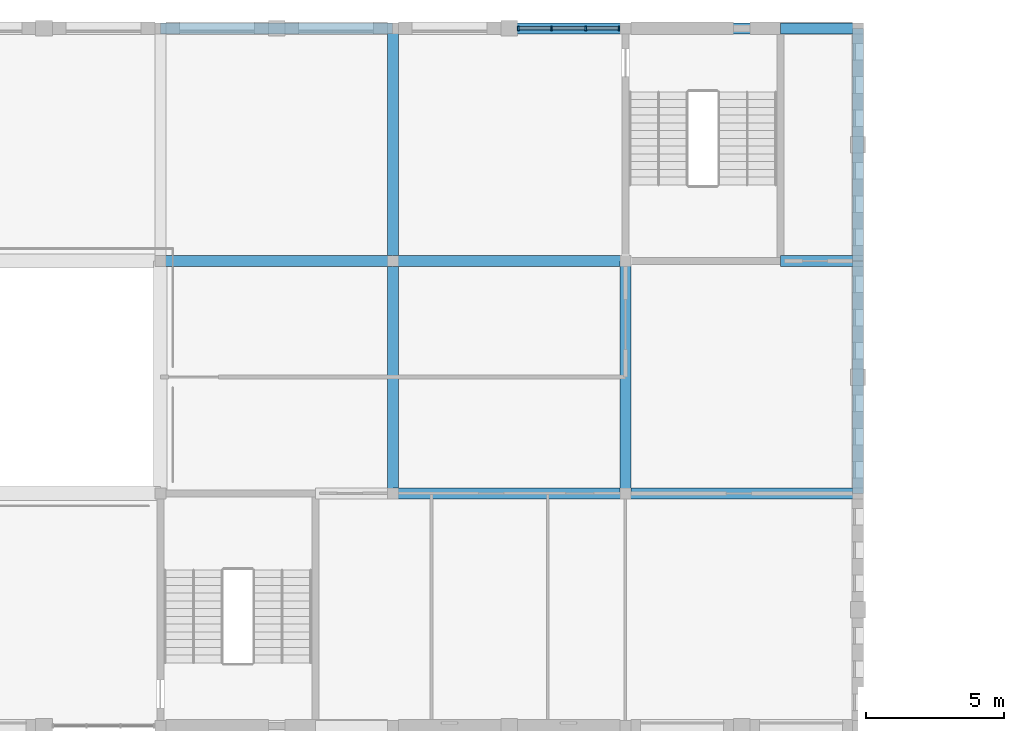
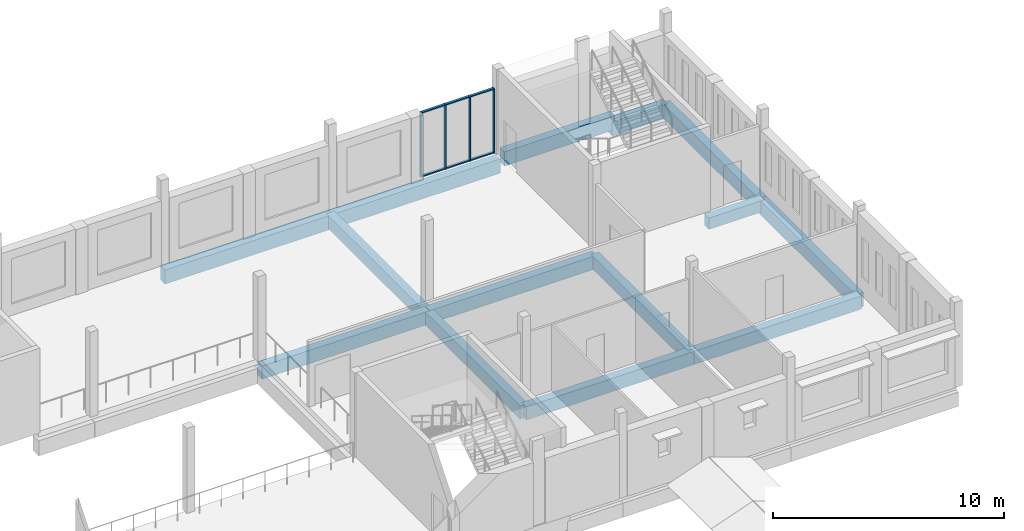
# One storey, part 17 of 38: 14 beams, 10 members, 1 element without a shape of its own.
"""IFC4 building model written with IfcOpenShell, lengths in metres."""

from ifc_helpers import new_model, si_unit, direction, frame, origin, origin_2d, place, context, subcontext, project, spatial, rectangle, extrude, material, material_profile, profile_set, type_object, element, aggregate, save


model = new_model("IFC4")

# Units and contexts
model_context = context("Model", 3, precision=1e-05, world=origin(), true_north=direction((0.0, 1.0)))
body_context = subcontext(model_context, "Body", "Model", "MODEL_VIEW")
ifc_project = project(units=[si_unit("LENGTHUNIT", "METRE"), si_unit("AREAUNIT", "SQUARE_METRE"), si_unit("VOLUMEUNIT", "CUBIC_METRE"), si_unit("PLANEANGLEUNIT", "RADIAN"), si_unit("MASSUNIT", "GRAM", prefix="KILO")], contexts=[model_context])

# Site, building, storey
site_placement = place(None, origin())
site = spatial("IfcSite", under=ifc_project, at=site_placement, CompositionType="ELEMENT")
building_placement = place(site_placement, origin())
building = spatial("IfcBuilding", under=site, at=building_placement, Name="Fescue Hill Polytechnic", CompositionType="ELEMENT")
storey_placement = place(building_placement, frame((0.0, 0.0, 18.0)))
storey = spatial("IfcBuildingStorey", under=building, at=storey_placement, Name="L04", CompositionType="ELEMENT", Elevation=18.0)

# Beams
ifc_material_1 = material(Name="Concrete 35 MPa", Category="concrete")
ifc_material_profile_1 = material_profile(ifc_material_1, rectangle(XDim=0.39990234375, YDim=0.60009765625, at=origin_2d()), Name="RC 400x600")
ifc_profile_set_1 = profile_set([ifc_material_profile_1], Name="Concrete 35 MPa")
beam_type_1 = type_object("IfcBeamType", Name="Beam RC 400x600", PredefinedType="BEAM", material=ifc_profile_set_1)
beam_1_placement = place(storey_placement, frame((114.800048828125, 126.0, -0.60009765625), z_axis=(1.0, 0.0, 0.0), x_axis=(0.0, 1.0, 0.0)))
element("IfcBeam", 1, at=beam_1_placement, inside=storey, type_object=beam_type_1, Name="BM-L04-0118", PredefinedType="BEAM", context=body_context, shape_type="SweptSolid", body=[
    extrude(rectangle(XDim=0.39990234375, YDim=0.60009765625, at=origin_2d()), origin(), (0.0, 0.0, 1.0), 2.7900390625),
])
ifc_material_profile_2 = material_profile(ifc_material_1, rectangle(XDim=0.39990234375, YDim=0.699951171875, at=origin_2d()), Name="RC 400x700")
ifc_profile_set_2 = profile_set([ifc_material_profile_2], Name="Concrete 35 MPa")
beam_type_2 = type_object("IfcBeamType", Name="Beam RC 400x700", PredefinedType="BEAM", material=ifc_profile_set_2)
beam_2_placement = place(storey_placement, frame((92.409912109375, 126.0, -0.64990234375), z_axis=(1.0, 0.0, 0.0), x_axis=(0.0, 1.0, 0.0)))
element("IfcBeam", 2, at=beam_2_placement, inside=storey, type_object=beam_type_2, Name="BM-L04-0105", PredefinedType="BEAM", context=body_context, shape_type="SweptSolid", body=[
    extrude(rectangle(XDim=0.39990234375, YDim=0.699951171875, at=origin_2d()), origin(), (0.0, 0.0, 1.0), 8.380126953125),
])
for number, where, z_axis, x_axis, name in (
    (3, (100.800048828125, 117.60009765625, -0.64990234375), (0.0, 1.0, 0.0), (-1.0, 0.0, 0.0), "BM-L04-0110"),
    (4, (100.800048828125, 117.60009765625, -0.64990234375), (1.0, 0.0, 0.0), (0.0, 1.0, 0.0), "BM-L04-0111"),
    (5, (100.800048828125, 126.0, -0.64990234375), (0.0, 1.0, 0.0), (-1.0, 0.0, 0.0), "BM-L04-0112"),
):
    element("IfcBeam", number, at=place(storey_placement, frame(where, z_axis=z_axis, x_axis=x_axis)), inside=storey, type_object=beam_type_2, Name=name, PredefinedType="BEAM", context=body_context, shape_type="SweptSolid", body=[
        extrude(rectangle(XDim=0.39990234375, YDim=0.699951171875, at=origin_2d()), origin(), (0.0, 0.0, 1.0), 8.39990234375),
    ])
beam_3_placement = place(storey_placement, frame((100.81005859375, 126.0, -0.64990234375), z_axis=(1.0, 0.0, 0.0), x_axis=(0.0, 1.0, 0.0)))
element("IfcBeam", 6, at=beam_3_placement, inside=storey, type_object=beam_type_2, Name="BM-L04-0113", PredefinedType="BEAM", context=body_context, shape_type="SweptSolid", body=[
    extrude(rectangle(XDim=0.39990234375, YDim=0.699951171875, at=origin_2d()), origin(), (0.0, 0.0, 1.0), 8.3798828125),
])
beam_4_placement = place(storey_placement, frame((109.199951171875, 117.60009765625, -0.64990234375), z_axis=(0.0, 1.0, 0.0), x_axis=(-1.0, 0.0, 0.0)))
element("IfcBeam", 7, at=beam_4_placement, inside=storey, type_object=beam_type_2, Name="BM-L04-0116", PredefinedType="BEAM", context=body_context, shape_type="SweptSolid", body=[
    extrude(rectangle(XDim=0.39990234375, YDim=0.699951171875, at=origin_2d()), origin(), (0.0, 0.0, 1.0), 8.39990234375),
])
beam_5_placement = place(storey_placement, frame((109.199951171875, 117.60009765625, -0.64990234375), z_axis=(1.0, 0.0, 0.0), x_axis=(0.0, 1.0, 0.0)))
element("IfcBeam", 8, at=beam_5_placement, inside=storey, type_object=beam_type_2, Name="BM-L04-0117", PredefinedType="BEAM", context=body_context, shape_type="SweptSolid", body=[
    extrude(rectangle(XDim=0.39990234375, YDim=0.699951171875, at=origin_2d()), origin(), (0.0, 0.0, 1.0), 8.400146484375),
])
ifc_material_profile_3 = material_profile(ifc_material_1, rectangle(XDim=0.39990234375, YDim=0.75, at=origin_2d()), Name="RC 400x750")
ifc_profile_set_3 = profile_set([ifc_material_profile_3], Name="Concrete 35 MPa")
beam_type_3 = type_object("IfcBeamType", Name="Beam RC 400x750", PredefinedType="BEAM", material=ifc_profile_set_3)
beam_6_placement = place(storey_placement, frame((92.409912109375, 134.39990234375, -0.675048828125), z_axis=(1.0, 0.0, 0.0), x_axis=(0.0, 1.0, 0.0)))
element("IfcBeam", 9, at=beam_6_placement, inside=storey, type_object=beam_type_3, Name="BM-L04-0106", PredefinedType="BEAM", context=body_context, shape_type="SweptSolid", body=[
    extrude(rectangle(XDim=0.39990234375, YDim=0.75, at=origin_2d()), origin(), (0.0, 0.0, 1.0), 8.380126953125),
])
beam_7_placement = place(storey_placement, frame((100.81005859375, 134.39990234375, -0.675048828125), z_axis=(1.0, 0.0, 0.0), x_axis=(0.0, 1.0, 0.0)))
element("IfcBeam", 10, at=beam_7_placement, inside=storey, type_object=beam_type_3, Name="BM-L04-0114", PredefinedType="BEAM", context=body_context, shape_type="SweptSolid", body=[
    extrude(rectangle(XDim=0.39990234375, YDim=0.75, at=origin_2d()), origin(), (0.0, 0.0, 1.0), 8.389892578125),
])
beam_8_placement = place(storey_placement, frame((114.800048828125, 134.39990234375, -0.675048828125), z_axis=(1.0, 0.0, 0.0), x_axis=(0.0, 1.0, 0.0)))
element("IfcBeam", 11, at=beam_8_placement, inside=storey, type_object=beam_type_3, Name="BM-L04-0119", PredefinedType="BEAM", context=body_context, shape_type="SweptSolid", body=[
    extrude(rectangle(XDim=0.39990234375, YDim=0.75, at=origin_2d()), origin(), (0.0, 0.0, 1.0), 2.7900390625),
])
for number, where, z_axis, x_axis, name in (
    (12, (117.60009765625, 117.60009765625, -0.675048828125), (0.0, 1.0, 0.0), (-1.0, 0.0, 0.0), "BM-L04-0120"),
    (13, (117.60009765625, 126.0, -0.675048828125), (0.0, 1.0, 0.0), (-1.0, 0.0, 0.0), "BM-L04-0121"),
):
    element("IfcBeam", number, at=place(storey_placement, frame(where, z_axis=z_axis, x_axis=x_axis)), inside=storey, type_object=beam_type_3, Name=name, PredefinedType="BEAM", context=body_context, shape_type="SweptSolid", body=[
        extrude(rectangle(XDim=0.39990234375, YDim=0.75, at=origin_2d()), origin(), (0.0, 0.0, 1.0), 8.39990234375),
    ])
beam_9_placement = place(storey_placement, frame((109.39990234375, 134.39990234375, -0.375), z_axis=(1.0, 0.0, 0.0), x_axis=(0.0, 1.0, 0.0)))
element("IfcBeam", 14, at=beam_9_placement, inside=storey, type_object=beam_type_3, Name="BM-L04-0133", PredefinedType="BEAM", context=body_context, shape_type="SweptSolid", body=[
    extrude(rectangle(XDim=0.39990234375, YDim=0.75, at=origin_2d()), origin(), (0.0, 0.0, 1.0), 5.525146484375),
])

# Curtain wall, members
ifc_material_2 = material(Name="Glass", Category="glass")
curtain_wall_type = type_object("IfcCurtainWallType", Name="Curtain wall structural glazing", PredefinedType="NOTDEFINED", material=ifc_material_2)
curtain_wall_placement = place(storey_placement, origin())
curtain_wall = element("IfcCurtainWall", 15, at=curtain_wall_placement, inside=storey, type_object=curtain_wall_type, Name="CW-L04-V4b-X1", PredefinedType="NOTDEFINED")
ifc_material_3 = material(Name="Powder-coated aluminium", Category="aluminium")
ifc_material_profile_4 = material_profile(ifc_material_3, rectangle(XDim=0.159912109375, YDim=0.06005859375, at=origin_2d()), Name="Mullion aluminium 60x160")
ifc_profile_set_4 = profile_set([ifc_material_profile_4], Name="Powder-coated aluminium")
member_type_1 = type_object("IfcMemberType", Name="Mullion aluminium 60x160", PredefinedType="MULLION", material=ifc_profile_set_4)
member_1_placement = place(storey_placement, frame((108.969970703125, 134.39990234375, 0.0), z_axis=(0.0, 0.0, 1.0), x_axis=(0.0, -1.0, 0.0)))
member_1 = element("IfcMember", 16, at=member_1_placement, type_object=member_type_1, Name="CW168 mullion 1", PredefinedType="MULLION", context=body_context, shape_type="SweptSolid", body=[
    extrude(rectangle(XDim=0.159912109375, YDim=0.06005859375, at=origin_2d()), origin(), (0.0, 0.0, 1.0), 3.429931640625),
])
member_2_placement = place(storey_placement, frame((107.7666015625, 134.39990234375, 0.0), z_axis=(0.0, 0.0, 1.0), x_axis=(0.0, -1.0, 0.0)))
member_2 = element("IfcMember", 17, at=member_2_placement, type_object=member_type_1, Name="CW168 mullion 2", PredefinedType="MULLION", context=body_context, shape_type="SweptSolid", body=[
    extrude(rectangle(XDim=0.159912109375, YDim=0.06005859375, at=origin_2d()), origin(), (0.0, 0.0, 1.0), 3.429931640625),
])
member_3_placement = place(storey_placement, frame((106.533447265625, 134.39990234375, 0.0), z_axis=(0.0, 0.0, 1.0), x_axis=(0.0, -1.0, 0.0)))
member_3 = element("IfcMember", 18, at=member_3_placement, type_object=member_type_1, Name="CW168 mullion 3", PredefinedType="MULLION", context=body_context, shape_type="SweptSolid", body=[
    extrude(rectangle(XDim=0.159912109375, YDim=0.06005859375, at=origin_2d()), origin(), (0.0, 0.0, 1.0), 3.429931640625),
])
member_4_placement = place(storey_placement, frame((105.330078125, 134.39990234375, 0.0), z_axis=(0.0, 0.0, 1.0), x_axis=(0.0, -1.0, 0.0)))
member_4 = element("IfcMember", 19, at=member_4_placement, type_object=member_type_1, Name="CW168 mullion 4", PredefinedType="MULLION", context=body_context, shape_type="SweptSolid", body=[
    extrude(rectangle(XDim=0.159912109375, YDim=0.06005859375, at=origin_2d()), origin(), (0.0, 0.0, 1.0), 3.429931640625),
])
ifc_material_profile_5 = material_profile(ifc_material_3, rectangle(XDim=0.1201171875, YDim=0.06005859375, at=origin_2d()), Name="Transom aluminium 60x120")
ifc_profile_set_5 = profile_set([ifc_material_profile_5], Name="Powder-coated aluminium")
member_type_2 = type_object("IfcMemberType", Name="Transom aluminium 60x120", PredefinedType="USERDEFINED", material=ifc_profile_set_5)
member_5_placement = place(storey_placement, frame((108.93994140625, 134.39990234375, 0.030029296875), z_axis=(-1.0, 0.0, 0.0), x_axis=(0.0, -1.0, 0.0)))
member_5 = element("IfcMember", 20, at=member_5_placement, type_object=member_type_2, Name="CW168 transom 1.1", ObjectType="TRANSOM", PredefinedType="USERDEFINED", context=body_context, shape_type="SweptSolid", body=[
    extrude(rectangle(XDim=0.1201171875, YDim=0.06005859375, at=origin_2d()), origin(), (0.0, 0.0, 1.0), 1.143310546875),
])
member_6_placement = place(storey_placement, frame((108.93994140625, 134.39990234375, 3.39990234375), z_axis=(-1.0, 0.0, 0.0), x_axis=(0.0, -1.0, 0.0)))
member_6 = element("IfcMember", 21, at=member_6_placement, type_object=member_type_2, Name="CW168 transom 1.2", ObjectType="TRANSOM", PredefinedType="USERDEFINED", context=body_context, shape_type="SweptSolid", body=[
    extrude(rectangle(XDim=0.1201171875, YDim=0.06005859375, at=origin_2d()), origin(), (0.0, 0.0, 1.0), 1.143310546875),
])
member_7_placement = place(storey_placement, frame((107.736572265625, 134.39990234375, 0.030029296875), z_axis=(-1.0, 0.0, 0.0), x_axis=(0.0, -1.0, 0.0)))
member_7 = element("IfcMember", 22, at=member_7_placement, type_object=member_type_2, Name="CW168 transom 2.1", ObjectType="TRANSOM", PredefinedType="USERDEFINED", context=body_context, shape_type="SweptSolid", body=[
    extrude(rectangle(XDim=0.1201171875, YDim=0.06005859375, at=origin_2d()), origin(), (0.0, 0.0, 1.0), 1.17333984375),
])
member_8_placement = place(storey_placement, frame((107.736572265625, 134.39990234375, 3.39990234375), z_axis=(-1.0, 0.0, 0.0), x_axis=(0.0, -1.0, 0.0)))
member_8 = element("IfcMember", 23, at=member_8_placement, type_object=member_type_2, Name="CW168 transom 2.2", ObjectType="TRANSOM", PredefinedType="USERDEFINED", context=body_context, shape_type="SweptSolid", body=[
    extrude(rectangle(XDim=0.1201171875, YDim=0.06005859375, at=origin_2d()), origin(), (0.0, 0.0, 1.0), 1.17333984375),
])
member_9_placement = place(storey_placement, frame((106.50341796875, 134.39990234375, 0.030029296875), z_axis=(-1.0, 0.0, 0.0), x_axis=(0.0, -1.0, 0.0)))
member_9 = element("IfcMember", 24, at=member_9_placement, type_object=member_type_2, Name="CW168 transom 3.1", ObjectType="TRANSOM", PredefinedType="USERDEFINED", context=body_context, shape_type="SweptSolid", body=[
    extrude(rectangle(XDim=0.1201171875, YDim=0.06005859375, at=origin_2d()), origin(), (0.0, 0.0, 1.0), 1.143310546875),
])
member_10_placement = place(storey_placement, frame((106.50341796875, 134.39990234375, 3.39990234375), z_axis=(-1.0, 0.0, 0.0), x_axis=(0.0, -1.0, 0.0)))
member_10 = element("IfcMember", 25, at=member_10_placement, type_object=member_type_2, Name="CW168 transom 3.2", ObjectType="TRANSOM", PredefinedType="USERDEFINED", context=body_context, shape_type="SweptSolid", body=[
    extrude(rectangle(XDim=0.1201171875, YDim=0.06005859375, at=origin_2d()), origin(), (0.0, 0.0, 1.0), 1.143310546875),
])
aggregate(curtain_wall, [member_1, member_2, member_3, member_4, member_5, member_6, member_7, member_8, member_9, member_10])

save(model, "model.ifc")
